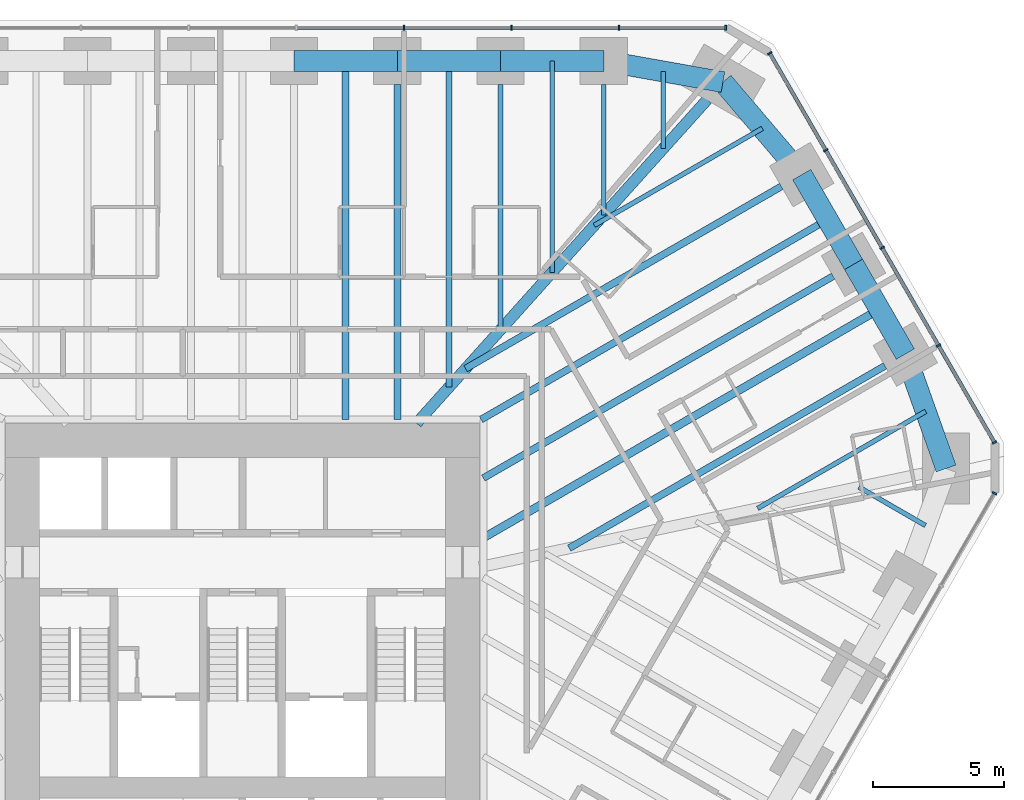
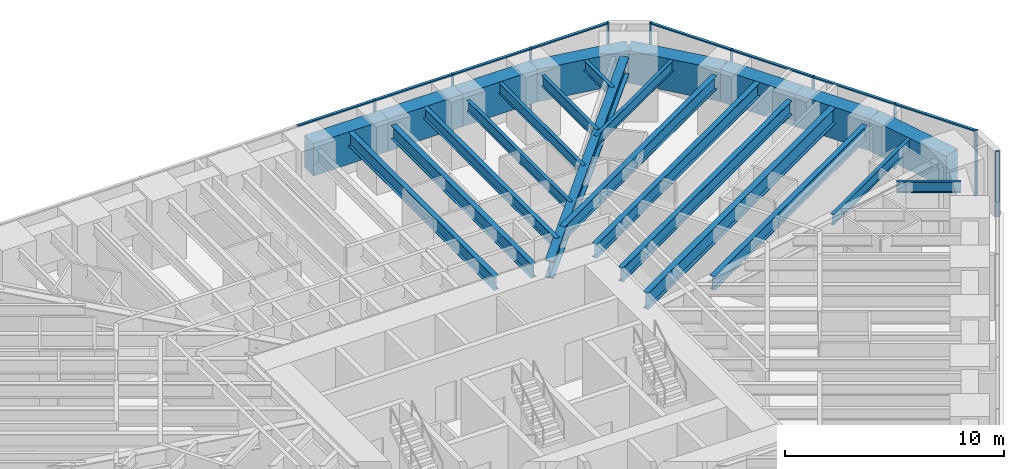
# One storey, part 9 of 17: 24 beams, 18 members, 3 elements without a shape of their own.
"""IFC4 building model written with IfcOpenShell, lengths in metres."""

from ifc_helpers import new_model, si_unit, direction, frame, origin, origin_2d, place, context, subcontext, project, spatial, rectangle, i_section, extrude, material, material_profile, profile_set, type_object, element, aggregate, save


model = new_model("IFC4")

# Units and contexts
model_context = context("Model", 3, precision=1e-05, world=origin(), true_north=direction((0.0, 1.0)))
body_context = subcontext(model_context, "Body", "Model", "MODEL_VIEW")
ifc_project = project(units=[si_unit("LENGTHUNIT", "METRE"), si_unit("AREAUNIT", "SQUARE_METRE"), si_unit("VOLUMEUNIT", "CUBIC_METRE"), si_unit("PLANEANGLEUNIT", "RADIAN"), si_unit("MASSUNIT", "GRAM", prefix="KILO")], contexts=[model_context])

# Site, building, storey
site_placement = place(None, origin())
site = spatial("IfcSite", under=ifc_project, at=site_placement, CompositionType="ELEMENT")
building_placement = place(site_placement, origin())
building = spatial("IfcBuilding", under=site, at=building_placement, Name="Sandreach Pilgrim Tower", CompositionType="ELEMENT")
storey_placement = place(building_placement, frame((0.0, 0.0, 119.60009765625)))
storey = spatial("IfcBuildingStorey", under=building, at=storey_placement, Name="L29", CompositionType="ELEMENT", Elevation=119.60009765625)

# Curtain wall, members
ifc_material_1 = material(Name="Aluminium framed curtain wall", Category="aluminium")
curtain_wall_type = type_object("IfcCurtainWallType", Name="Hotel tower curtain wall", PredefinedType="NOTDEFINED", material=ifc_material_1)
curtain_wall_1_placement = place(storey_placement, origin())
curtain_wall_1 = element("IfcCurtainWall", 1, at=curtain_wall_1_placement, inside=storey, type_object=curtain_wall_type, Name="CW-2 L29 N", PredefinedType="NOTDEFINED")
ifc_material_2 = material(Name="Aluminium extrusion", Category="aluminium")
ifc_material_profile_1 = material_profile(ifc_material_2, rectangle(XDim=0.06494140625, YDim=0.179931640625, at=origin_2d()), Name="CW-2M 65X180")
ifc_profile_set_1 = profile_set([ifc_material_profile_1], Name="Aluminium extrusion")
member_type_1 = type_object("IfcMemberType", Name="CW-2 mullion", PredefinedType="MULLION", material=ifc_profile_set_1)
member_1_placement = place(storey_placement, frame((6.160400390625, 22.493896484375, 0.0), z_axis=(0.0, 0.0, 1.0), x_axis=(1.0, 0.0, 0.0)))
member_1 = element("IfcMember", 2, at=member_1_placement, type_object=member_type_1, Name="CW-2 mullion 7", PredefinedType="MULLION", context=body_context, shape_type="SweptSolid", body=[
    extrude(rectangle(XDim=0.06494140625, YDim=0.179931640625, at=origin_2d()), origin(), (0.0, 0.0, 1.0), 3.639892578125),
])
member_2_placement = place(storey_placement, frame((10.267333984375, 22.493896484375, 0.0), z_axis=(0.0, 0.0, 1.0), x_axis=(1.0, 0.0, 0.0)))
member_2 = element("IfcMember", 3, at=member_2_placement, type_object=member_type_1, Name="CW-2 mullion 8", PredefinedType="MULLION", context=body_context, shape_type="SweptSolid", body=[
    extrude(rectangle(XDim=0.06494140625, YDim=0.179931640625, at=origin_2d()), origin(), (0.0, 0.0, 1.0), 3.639892578125),
])
member_3_placement = place(storey_placement, frame((14.37451171875, 22.493896484375, 0.0), z_axis=(0.0, 0.0, 1.0), x_axis=(1.0, 0.0, 0.0)))
member_3 = element("IfcMember", 4, at=member_3_placement, type_object=member_type_1, Name="CW-2 mullion 9", PredefinedType="MULLION", context=body_context, shape_type="SweptSolid", body=[
    extrude(rectangle(XDim=0.06494140625, YDim=0.179931640625, at=origin_2d()), origin(), (0.0, 0.0, 1.0), 3.639892578125),
])
member_4_placement = place(storey_placement, frame((18.448974609375, 22.493896484375, 0.0), z_axis=(0.0, 0.0, 1.0), x_axis=(1.0, 0.0, 0.0)))
member_4 = element("IfcMember", 5, at=member_4_placement, type_object=member_type_1, Name="CW-2 mullion 10", PredefinedType="MULLION", context=body_context, shape_type="SweptSolid", body=[
    extrude(rectangle(XDim=0.06494140625, YDim=0.179931640625, at=origin_2d()), origin(), (0.0, 0.0, 1.0), 3.639892578125),
])

curtain_wall_2_placement = place(storey_placement, origin())
curtain_wall_2 = element("IfcCurtainWall", 6, at=curtain_wall_2_placement, inside=storey, type_object=curtain_wall_type, Name="CW-2 L29 NE", PredefinedType="NOTDEFINED")
member_5_placement = place(storey_placement, frame((20.125732421875, 21.525634765625, 0.0), z_axis=(0.0, 0.0, 1.0), x_axis=(0.5, -0.866025403784, 0.0)))
member_5 = element("IfcMember", 7, at=member_5_placement, type_object=member_type_1, Name="CW-2 mullion 1", PredefinedType="MULLION", context=body_context, shape_type="SweptSolid", body=[
    extrude(rectangle(XDim=0.06494140625, YDim=0.179931640625, at=origin_2d()), origin(), (0.0, 0.0, 1.0), 3.639892578125),
])
member_6_placement = place(storey_placement, frame((22.262451171875, 17.824951171875, 0.0), z_axis=(0.0, 0.0, 1.0), x_axis=(0.5, -0.866025403784, 0.0)))
member_6 = element("IfcMember", 8, at=member_6_placement, type_object=member_type_1, Name="CW-2 mullion 2", PredefinedType="MULLION", context=body_context, shape_type="SweptSolid", body=[
    extrude(rectangle(XDim=0.06494140625, YDim=0.179931640625, at=origin_2d()), origin(), (0.0, 0.0, 1.0), 3.639892578125),
])
member_7_placement = place(storey_placement, frame((24.415283203125, 14.09619140625, 0.0), z_axis=(0.0, 0.0, 1.0), x_axis=(0.5, -0.866025403784, 0.0)))
member_7 = element("IfcMember", 9, at=member_7_placement, type_object=member_type_1, Name="CW-2 mullion 3", PredefinedType="MULLION", context=body_context, shape_type="SweptSolid", body=[
    extrude(rectangle(XDim=0.06494140625, YDim=0.179931640625, at=origin_2d()), origin(), (0.0, 0.0, 1.0), 3.639892578125),
])
member_8_placement = place(storey_placement, frame((26.568115234375, 10.3671875, 0.0), z_axis=(0.0, 0.0, 1.0), x_axis=(0.5, -0.866025403784, 0.0)))
member_8 = element("IfcMember", 10, at=member_8_placement, type_object=member_type_1, Name="CW-2 mullion 4", PredefinedType="MULLION", context=body_context, shape_type="SweptSolid", body=[
    extrude(rectangle(XDim=0.06494140625, YDim=0.179931640625, at=origin_2d()), origin(), (0.0, 0.0, 1.0), 3.639892578125),
])
member_9_placement = place(storey_placement, frame((28.70458984375, 6.66650390625, 0.0), z_axis=(0.0, 0.0, 1.0), x_axis=(0.5, -0.866025403784, 0.0)))
member_9 = element("IfcMember", 11, at=member_9_placement, type_object=member_type_1, Name="CW-2 mullion 5", PredefinedType="MULLION", context=body_context, shape_type="SweptSolid", body=[
    extrude(rectangle(XDim=0.06494140625, YDim=0.179931640625, at=origin_2d()), origin(), (0.0, 0.0, 1.0), 3.639892578125),
])

# Curtain wall, member
curtain_wall_3_placement = place(storey_placement, origin())
curtain_wall_3 = element("IfcCurtainWall", 12, at=curtain_wall_3_placement, inside=storey, type_object=curtain_wall_type, Name="CW-2 L29 SE", PredefinedType="NOTDEFINED")
member_10_placement = place(storey_placement, frame((28.70458984375, 4.730224609375, 0.0), z_axis=(0.0, 0.0, 1.0), x_axis=(-0.5, -0.866025403784, 0.0)))
member_10 = element("IfcMember", 13, at=member_10_placement, type_object=member_type_1, Name="CW-2 mullion 1", PredefinedType="MULLION", context=body_context, shape_type="SweptSolid", body=[
    extrude(rectangle(XDim=0.06494140625, YDim=0.179931640625, at=origin_2d()), origin(), (0.0, 0.0, 1.0), 3.639892578125),
])
aggregate(curtain_wall_3, [member_10])

# Member
ifc_material_3 = material(Name="Aluminium extrusion", Category="aluminium")
ifc_material_profile_2 = material_profile(ifc_material_3, rectangle(XDim=0.139892578125, YDim=0.070068359375, at=origin_2d()), Name="CW-2T 140X70")
ifc_profile_set_2 = profile_set([ifc_material_profile_2], Name="Aluminium extrusion")
member_type_2 = type_object("IfcMemberType", Name="CW-2 transom", PredefinedType="USERDEFINED", material=ifc_profile_set_2)
member_11_placement = place(storey_placement, frame((2.0859375, 22.493896484375, 3.60498046875), z_axis=(1.0, 0.0, 0.0), x_axis=(0.0, 1.0, 0.0)))
member_11 = element("IfcMember", 14, at=member_11_placement, type_object=member_type_2, Name="CW-2 head transom 6", ObjectType="TRANSOM", PredefinedType="USERDEFINED", context=body_context, shape_type="SweptSolid", body=[
    extrude(rectangle(XDim=0.139892578125, YDim=0.070068359375, at=origin_2d()), origin(), (0.0, 0.0, 1.0), 4.0419921875),
])

member_12_placement = place(storey_placement, frame((6.19287109375, 22.493896484375, 3.60498046875), z_axis=(1.0, 0.0, 0.0), x_axis=(0.0, 1.0, 0.0)))
member_12 = element("IfcMember", 15, at=member_12_placement, type_object=member_type_2, Name="CW-2 head transom 7", ObjectType="TRANSOM", PredefinedType="USERDEFINED", context=body_context, shape_type="SweptSolid", body=[
    extrude(rectangle(XDim=0.139892578125, YDim=0.070068359375, at=origin_2d()), origin(), (0.0, 0.0, 1.0), 4.0419921875),
])

member_13_placement = place(storey_placement, frame((10.300048828125, 22.493896484375, 3.60498046875), z_axis=(1.0, 0.0, 0.0), x_axis=(0.0, 1.0, 0.0)))
member_13 = element("IfcMember", 16, at=member_13_placement, type_object=member_type_2, Name="CW-2 head transom 8", ObjectType="TRANSOM", PredefinedType="USERDEFINED", context=body_context, shape_type="SweptSolid", body=[
    extrude(rectangle(XDim=0.139892578125, YDim=0.070068359375, at=origin_2d()), origin(), (0.0, 0.0, 1.0), 4.041748046875),
])

member_14_placement = place(storey_placement, frame((14.406982421875, 22.493896484375, 3.60498046875), z_axis=(1.0, 0.0, 0.0), x_axis=(0.0, 1.0, 0.0)))
member_14 = element("IfcMember", 17, at=member_14_placement, type_object=member_type_2, Name="CW-2 head transom 9", ObjectType="TRANSOM", PredefinedType="USERDEFINED", context=body_context, shape_type="SweptSolid", body=[
    extrude(rectangle(XDim=0.139892578125, YDim=0.070068359375, at=origin_2d()), origin(), (0.0, 0.0, 1.0), 4.00927734375),
])

aggregate(curtain_wall_1, [member_1, member_2, member_3, member_4, member_11, member_12, member_13, member_14])

member_15_placement = place(storey_placement, frame((20.14208984375, 21.49755859375, 3.60498046875), z_axis=(0.49997020258, -0.86604260665, 0.0), x_axis=(0.86604260665, 0.49997020258, 0.0)))
member_15 = element("IfcMember", 18, at=member_15_placement, type_object=member_type_2, Name="CW-2 head transom 1", ObjectType="TRANSOM", PredefinedType="USERDEFINED", context=body_context, shape_type="SweptSolid", body=[
    extrude(rectangle(XDim=0.139892578125, YDim=0.070068359375, at=origin_2d()), origin(), (0.0, 0.0, 1.0), 4.208251953125),
])

member_16_placement = place(storey_placement, frame((22.278564453125, 17.796875, 3.60498046875), z_axis=(0.499996541496, -0.866027400544, 0.0), x_axis=(0.866027400544, 0.499996541496, 0.0)))
member_16 = element("IfcMember", 19, at=member_16_placement, type_object=member_type_2, Name="CW-2 head transom 2", ObjectType="TRANSOM", PredefinedType="USERDEFINED", context=body_context, shape_type="SweptSolid", body=[
    extrude(rectangle(XDim=0.139892578125, YDim=0.070068359375, at=origin_2d()), origin(), (0.0, 0.0, 1.0), 4.24072265625),
])

member_17_placement = place(storey_placement, frame((24.431396484375, 14.06787109375, 3.60498046875), z_axis=(0.500021471012, -0.866013007135, 0.0), x_axis=(0.866013007135, 0.500021471012, 0.0)))
member_17 = element("IfcMember", 20, at=member_17_placement, type_object=member_type_2, Name="CW-2 head transom 3", ObjectType="TRANSOM", PredefinedType="USERDEFINED", context=body_context, shape_type="SweptSolid", body=[
    extrude(rectangle(XDim=0.139892578125, YDim=0.070068359375, at=origin_2d()), origin(), (0.0, 0.0, 1.0), 4.240478515625),
])

member_18_placement = place(storey_placement, frame((26.584228515625, 10.339111328125, 3.60498046875), z_axis=(0.500038835258, -0.866002981077, 0.0), x_axis=(0.866002981077, 0.500038835258, 0.0)))
member_18 = element("IfcMember", 21, at=member_18_placement, type_object=member_type_2, Name="CW-2 head transom 4", ObjectType="TRANSOM", PredefinedType="USERDEFINED", context=body_context, shape_type="SweptSolid", body=[
    extrude(rectangle(XDim=0.139892578125, YDim=0.070068359375, at=origin_2d()), origin(), (0.0, 0.0, 1.0), 4.208251953125),
])

aggregate(curtain_wall_2, [member_5, member_6, member_7, member_8, member_9, member_15, member_16, member_17, member_18])

# Beams
ifc_material_4 = material(Name="Steel ASTM A992 Grade 50", Category="steel")
ifc_material_profile_3 = material_profile(ifc_material_4, i_section(OverallWidth=0.424072265625, OverallDepth=0.965087890625, WebThickness=0.028564453125, FlangeThickness=0.051025390625, at=origin_2d()), Name="W36X361")
ifc_profile_set_3 = profile_set([ifc_material_profile_3], Name="Steel ASTM A992 Grade 50")
beam_type_1 = type_object("IfcBeamType", Name="Corner girder W36X361", PredefinedType="BEAM", material=ifc_profile_set_3)
beam_1_placement = place(storey_placement, frame((17.738037109375, 19.754150390625, 3.1572265625), z_axis=(-0.66811374471, -0.74405915365, 0.0), x_axis=(0.74405915365, -0.66811374471, 0.0)))
element("IfcBeam", 22, at=beam_1_placement, inside=storey, type_object=beam_type_1, Name="BM L29 CG09", PredefinedType="BEAM", context=body_context, shape_type="SweptSolid", body=[
    extrude(i_section(OverallWidth=0.424072265625, OverallDepth=0.965087890625, WebThickness=0.028564453125, FlangeThickness=0.051025390625, at=origin_2d()), origin(), (0.0, 0.0, 1.0), 16.603759765625),
])
ifc_material_5 = material(Name="Steel ASTM A992 Grade 50", Category="steel")
ifc_material_profile_4 = material_profile(ifc_material_5, i_section(OverallWidth=0.1787109375, OverallDepth=0.60205078125, WebThickness=0.010986328125, FlangeThickness=0.014892578125, at=origin_2d()), Name="W24X62")
ifc_profile_set_4 = profile_set([ifc_material_profile_4], Name="Steel ASTM A992 Grade 50")
beam_type_2 = type_object("IfcBeamType", Name="Floor beam W24X62", PredefinedType="BEAM", material=ifc_profile_set_4)
beam_2_placement = place(storey_placement, frame((9.849853515625, 20.333740234375, 3.3388671875), z_axis=(0.0, -1.0, 0.0), x_axis=(1.0, 0.0, 0.0)))
element("IfcBeam", 23, at=beam_2_placement, inside=storey, type_object=beam_type_2, Name="BM L29 F07", PredefinedType="BEAM", context=body_context, shape_type="SweptSolid", body=[
    extrude(i_section(OverallWidth=0.1787109375, OverallDepth=0.60205078125, WebThickness=0.010986328125, FlangeThickness=0.014892578125, at=origin_2d()), origin(), (0.0, 0.0, 1.0), 9.3642578125),
])
beam_3_placement = place(storey_placement, frame((13.789794921875, 20.333740234375, 3.3388671875), z_axis=(0.0, -1.0, 0.0), x_axis=(1.0, 0.0, 0.0)))
element("IfcBeam", 24, at=beam_3_placement, inside=storey, type_object=beam_type_2, Name="BM L29 F08", PredefinedType="BEAM", context=body_context, shape_type="SweptSolid", body=[
    extrude(i_section(OverallWidth=0.1787109375, OverallDepth=0.60205078125, WebThickness=0.010986328125, FlangeThickness=0.014892578125, at=origin_2d()), origin(), (0.0, 0.0, 1.0), 4.9765625),
])
beam_4_placement = place(storey_placement, frame((11.81982421875, 21.23388671875, 3.3388671875), z_axis=(0.0, -1.0, 0.0), x_axis=(1.0, 0.0, 0.0)))
element("IfcBeam", 25, at=beam_4_placement, inside=storey, type_object=beam_type_2, Name="BM L29 FM07", PredefinedType="BEAM", context=body_context, shape_type="SweptSolid", body=[
    extrude(i_section(OverallWidth=0.1787109375, OverallDepth=0.60205078125, WebThickness=0.010986328125, FlangeThickness=0.014892578125, at=origin_2d()), origin(), (0.0, 0.0, 1.0), 8.070556640625),
])
beam_5_placement = place(storey_placement, frame((16.064697265625, 20.828857421875, 3.3388671875), z_axis=(0.0, -1.0, 0.0), x_axis=(1.0, 0.0, 0.0)))
element("IfcBeam", 26, at=beam_5_placement, inside=storey, type_object=beam_type_2, Name="BM L29 FM08", PredefinedType="BEAM", context=body_context, shape_type="SweptSolid", body=[
    extrude(i_section(OverallWidth=0.1787109375, OverallDepth=0.60205078125, WebThickness=0.010986328125, FlangeThickness=0.014892578125, at=origin_2d()), origin(), (0.0, 0.0, 1.0), 2.938232421875),
])
for number, where, z_axis, x_axis, name in (
    (27, (19.8427734375, 18.65771484375, 3.3388671875), (-0.866025875064, -0.499999183719, 0.0), (0.499999183719, -0.866025875064, 0.0), "BM L29 FM09"),
    (28, (26.079345703125, 7.855712890625, 3.3388671875), (-0.866025875064, -0.499999183719, 0.0), (0.499999183719, -0.866025875064, 0.0), "BM L29 FM12"),
):
    element("IfcBeam", number, at=place(storey_placement, frame(where, z_axis=z_axis, x_axis=x_axis)), inside=storey, type_object=beam_type_2, Name=name, PredefinedType="BEAM", context=body_context, shape_type="SweptSolid", body=[
        extrude(i_section(OverallWidth=0.1787109375, OverallDepth=0.60205078125, WebThickness=0.010986328125, FlangeThickness=0.014892578125, at=origin_2d()), origin(), (0.0, 0.0, 1.0), 7.40771484375),
    ])
beam_6_placement = place(storey_placement, frame((26.070556640625, 3.498046875, 3.3388671875), z_axis=(-0.866051374412, 0.499955014855, 0.0), x_axis=(-0.499955014855, -0.866051374412, 0.0)))
element("IfcBeam", 29, at=beam_6_placement, inside=storey, type_object=beam_type_2, Name="BM L29 FM13", PredefinedType="BEAM", context=body_context, shape_type="SweptSolid", body=[
    extrude(i_section(OverallWidth=0.1787109375, OverallDepth=0.60205078125, WebThickness=0.010986328125, FlangeThickness=0.014892578125, at=origin_2d()), origin(), (0.0, 0.0, 1.0), 2.938232421875),
])
ifc_material_6 = material(Name="Steel ASTM A992 Grade 50", Category="steel")
ifc_material_profile_5 = material_profile(ifc_material_6, i_section(OverallWidth=0.23046875, OverallDepth=0.6171875, WebThickness=0.01318359375, FlangeThickness=0.022216796875, at=origin_2d()), Name="W24X94")
ifc_profile_set_5 = profile_set([ifc_material_profile_5], Name="Steel ASTM A992 Grade 50")
beam_type_3 = type_object("IfcBeamType", Name="Floor beam W24X94", PredefinedType="BEAM", material=ifc_profile_set_5)
beam_7_placement = place(storey_placement, frame((7.8798828125, 21.23388671875, 3.331298828125), z_axis=(0.0, -1.0, 0.0), x_axis=(1.0, 0.0, 0.0)))
element("IfcBeam", 30, at=beam_7_placement, inside=storey, type_object=beam_type_3, Name="BM L29 FM06", PredefinedType="BEAM", context=body_context, shape_type="SweptSolid", body=[
    extrude(i_section(OverallWidth=0.23046875, OverallDepth=0.6171875, WebThickness=0.01318359375, FlangeThickness=0.022216796875, at=origin_2d()), origin(), (0.0, 0.0, 1.0), 12.458251953125),
])
ifc_material_7 = material(Name="Steel ASTM A992 Grade 50", Category="steel")
ifc_material_profile_6 = material_profile(ifc_material_7, i_section(OverallWidth=0.2666015625, OverallDepth=0.761962890625, WebThickness=0.014404296875, FlangeThickness=0.021484375, at=origin_2d()), Name="W30X116")
ifc_profile_set_6 = profile_set([ifc_material_profile_6], Name="Steel ASTM A992 Grade 50")
beam_type_4 = type_object("IfcBeamType", Name="Floor beam W30X116", PredefinedType="BEAM", material=ifc_profile_set_6)
beam_8_placement = place(storey_placement, frame((5.909912109375, 20.333740234375, 3.2587890625), z_axis=(0.0, -1.0, 0.0), x_axis=(1.0, 0.0, 0.0)))
element("IfcBeam", 31, at=beam_8_placement, inside=storey, type_object=beam_type_4, Name="BM L29 F06", PredefinedType="BEAM", context=body_context, shape_type="SweptSolid", body=[
    extrude(i_section(OverallWidth=0.2666015625, OverallDepth=0.761962890625, WebThickness=0.014404296875, FlangeThickness=0.021484375, at=origin_2d()), origin(), (0.0, 0.0, 1.0), 12.790283203125),
])
beam_9_placement = place(storey_placement, frame((20.56689453125, 16.44140625, 3.2587890625), z_axis=(-0.866022263426, -0.500005439221, 0.0), x_axis=(0.500005439221, -0.866022263426, 0.0)))
element("IfcBeam", 32, at=beam_9_placement, inside=storey, type_object=beam_type_4, Name="BM L29 F10", PredefinedType="BEAM", context=body_context, shape_type="SweptSolid", body=[
    extrude(i_section(OverallWidth=0.2666015625, OverallDepth=0.761962890625, WebThickness=0.014404296875, FlangeThickness=0.021484375, at=origin_2d()), origin(), (0.0, 0.0, 1.0), 13.915283203125),
])
beam_10_placement = place(storey_placement, frame((24.522216796875, 9.5908203125, 3.2587890625), z_axis=(-0.866026649588, -0.499997842199, 0.0), x_axis=(0.499997842199, -0.866026649588, 0.0)))
element("IfcBeam", 33, at=beam_10_placement, inside=storey, type_object=beam_type_4, Name="BM L29 F12", PredefinedType="BEAM", context=body_context, shape_type="SweptSolid", body=[
    extrude(i_section(OverallWidth=0.2666015625, OverallDepth=0.761962890625, WebThickness=0.014404296875, FlangeThickness=0.021484375, at=origin_2d()), origin(), (0.0, 0.0, 1.0), 13.91552734375),
])
beam_11_placement = place(storey_placement, frame((3.93994140625, 21.23388671875, 3.2587890625), z_axis=(0.0, -1.0, 0.0), x_axis=(1.0, 0.0, 0.0)))
element("IfcBeam", 34, at=beam_11_placement, inside=storey, type_object=beam_type_4, Name="BM L29 FM05", PredefinedType="BEAM", context=body_context, shape_type="SweptSolid", body=[
    extrude(i_section(OverallWidth=0.2666015625, OverallDepth=0.761962890625, WebThickness=0.014404296875, FlangeThickness=0.021484375, at=origin_2d()), origin(), (0.0, 0.0, 1.0), 13.6904296875),
])
ifc_material_8 = material(Name="Steel ASTM A992 Grade 50", Category="steel")
ifc_material_profile_7 = material_profile(ifc_material_8, i_section(OverallWidth=0.2666015625, OverallDepth=0.77978515625, WebThickness=0.0166015625, FlangeThickness=0.030029296875, at=origin_2d()), Name="W30X148")
ifc_profile_set_7 = profile_set([ifc_material_profile_7], Name="Steel ASTM A992 Grade 50")
beam_type_5 = type_object("IfcBeamType", Name="Floor beam W30X148", PredefinedType="BEAM", material=ifc_profile_set_7)
beam_12_placement = place(storey_placement, frame((22.544677734375, 13.01611328125, 3.25), z_axis=(-0.866029203842, -0.49999341805, 0.0), x_axis=(0.49999341805, -0.866029203842, 0.0)))
element("IfcBeam", 35, at=beam_12_placement, inside=storey, type_object=beam_type_5, Name="BM L29 F11", PredefinedType="BEAM", context=body_context, shape_type="SweptSolid", body=[
    extrude(i_section(OverallWidth=0.2666015625, OverallDepth=0.77978515625, WebThickness=0.0166015625, FlangeThickness=0.030029296875, at=origin_2d()), origin(), (0.0, 0.0, 1.0), 15.416748046875),
])
beam_13_placement = place(storey_placement, frame((22.335205078125, 15.1787109375, 3.25), z_axis=(-0.866028773314, -0.499994163758, 0.0), x_axis=(0.499994163758, -0.866028773314, 0.0)))
element("IfcBeam", 36, at=beam_13_placement, inside=storey, type_object=beam_type_5, Name="BM L29 FM10", PredefinedType="BEAM", context=body_context, shape_type="SweptSolid", body=[
    extrude(i_section(OverallWidth=0.2666015625, OverallDepth=0.77978515625, WebThickness=0.0166015625, FlangeThickness=0.030029296875, at=origin_2d()), origin(), (0.0, 0.0, 1.0), 15.270751953125),
])
ifc_material_9 = material(Name="Steel ASTM A992 Grade 50", Category="steel")
ifc_material_profile_8 = material_profile(ifc_material_9, i_section(OverallWidth=0.3046875, OverallDepth=0.914306640625, WebThickness=0.0166015625, FlangeThickness=0.02587890625, at=origin_2d()), Name="W36X160")
ifc_profile_set_8 = profile_set([ifc_material_profile_8], Name="Steel ASTM A992 Grade 50")
beam_type_6 = type_object("IfcBeamType", Name="Floor beam W36X160", PredefinedType="BEAM", material=ifc_profile_set_8)
beam_14_placement = place(storey_placement, frame((24.312744140625, 11.75341796875, 3.1826171875), z_axis=(-0.866023737483, -0.500002886107, 0.0), x_axis=(0.500002886107, -0.866023737483, 0.0)))
element("IfcBeam", 37, at=beam_14_placement, inside=storey, type_object=beam_type_6, Name="BM L29 FM11", PredefinedType="BEAM", context=body_context, shape_type="SweptSolid", body=[
    extrude(i_section(OverallWidth=0.3046875, OverallDepth=0.914306640625, WebThickness=0.0166015625, FlangeThickness=0.02587890625, at=origin_2d()), origin(), (0.0, 0.0, 1.0), 17.45849609375),
])
ifc_material_10 = material(Name="Concrete 10000 psi", Category="concrete")
ifc_material_profile_9 = material_profile(ifc_material_10, rectangle(XDim=0.800048828125, YDim=1.800048828125, at=origin_2d()), Name="RC800X1800")
ifc_profile_set_9 = profile_set([ifc_material_profile_9], Name="Concrete 10000 psi")
beam_type_7 = type_object("IfcBeamType", Name="Spandrel beam RC800X1800", PredefinedType="SPANDREL", material=ifc_profile_set_9)
for number, where, z_axis, x_axis, name in (
    (38, (1.969970703125, 21.23388671875, 2.739990234375), (1.0, 0.0, 0.0), (0.0, 1.0, 0.0), "BM L29 SP05"),
    (39, (5.909912109375, 21.23388671875, 2.739990234375), (1.0, 0.0, 0.0), (0.0, 1.0, 0.0), "BM L29 SP06"),
    (40, (9.849853515625, 21.23388671875, 2.739990234375), (1.0, 0.0, 0.0), (0.0, 1.0, 0.0), "BM L29 SP07"),
):
    element("IfcBeam", number, at=place(storey_placement, frame(where, z_axis=z_axis, x_axis=x_axis)), inside=storey, type_object=beam_type_7, Name=name, PredefinedType="SPANDREL", context=body_context, shape_type="SweptSolid", body=[
        extrude(rectangle(XDim=0.800048828125, YDim=1.800048828125, at=origin_2d()), origin(), (0.0, 0.0, 1.0), 3.93994140625),
    ])
beam_15_placement = place(storey_placement, frame((13.789794921875, 21.23388671875, 2.739990234375), z_axis=(0.984515938739, -0.175295083699, 0.0), x_axis=(0.175295083699, 0.984515938739, 0.0)))
element("IfcBeam", 41, at=beam_15_placement, inside=storey, type_object=beam_type_7, Name="BM L29 SP08", PredefinedType="SPANDREL", context=body_context, shape_type="SweptSolid", body=[
    extrude(rectangle(XDim=0.800048828125, YDim=1.800048828125, at=origin_2d()), origin(), (0.0, 0.0, 1.0), 4.62109375),
])
beam_16_placement = place(storey_placement, frame((18.33935546875, 20.423828125, 2.739990234375), z_axis=(0.648208888384, -0.761462564425, 0.0), x_axis=(0.761462564425, 0.648208888384, 0.0)))
element("IfcBeam", 42, at=beam_16_placement, inside=storey, type_object=beam_type_7, Name="BM L29 SP09", PredefinedType="SPANDREL", context=body_context, shape_type="SweptSolid", body=[
    extrude(rectangle(XDim=0.800048828125, YDim=1.800048828125, at=origin_2d()), origin(), (0.0, 0.0, 1.0), 4.63916015625),
])
for number, where, z_axis, x_axis, name in (
    (43, (21.346435546875, 16.891357421875, 2.739990234375), (0.499989616998, -0.866031398331, 0.0), (0.866031398331, 0.499989616998, 0.0), "BM L29 SP10"),
    (44, (23.323974609375, 13.466064453125, 2.739990234375), (0.499989616998, -0.866031398331, 0.0), (0.866031398331, 0.499989616998, 0.0), "BM L29 SP11"),
):
    element("IfcBeam", number, at=place(storey_placement, frame(where, z_axis=z_axis, x_axis=x_axis)), inside=storey, type_object=beam_type_7, Name=name, PredefinedType="SPANDREL", context=body_context, shape_type="SweptSolid", body=[
        extrude(rectangle(XDim=0.800048828125, YDim=1.800048828125, at=origin_2d()), origin(), (0.0, 0.0, 1.0), 3.955078125),
    ])
beam_17_placement = place(storey_placement, frame((25.301513671875, 10.040771484375, 2.739990234375), z_axis=(0.335346041399, -0.942095023083, 0.0), x_axis=(0.942095023083, 0.335346041399, 0.0)))
element("IfcBeam", 45, at=beam_17_placement, inside=storey, type_object=beam_type_7, Name="BM L29 SP12", PredefinedType="SPANDREL", context=body_context, shape_type="SweptSolid", body=[
    extrude(rectangle(XDim=0.800048828125, YDim=1.800048828125, at=origin_2d()), origin(), (0.0, 0.0, 1.0), 4.638916015625),
])

save(model, "model.ifc")
